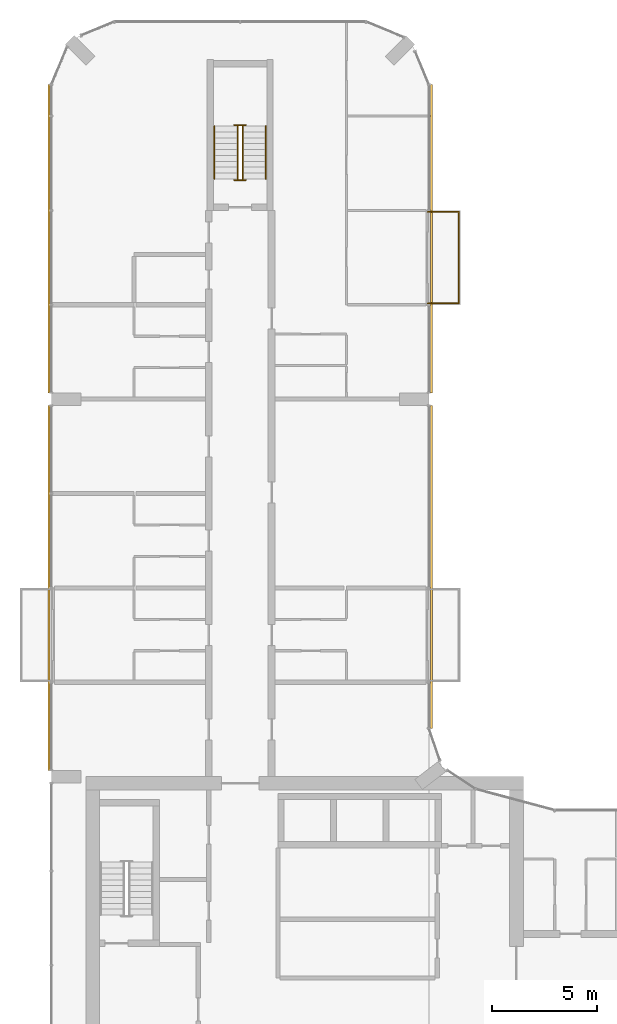
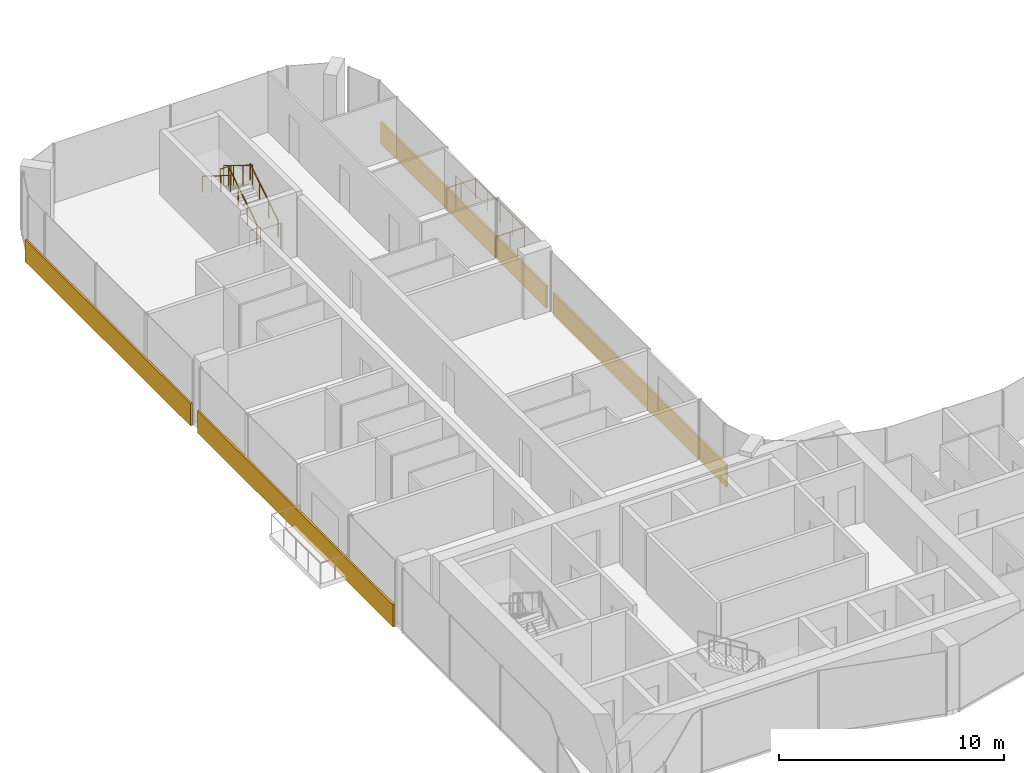
# One storey, part 21 of 22: 7 railings, 4 coverings.
"""IFC4 building model written with IfcOpenShell, lengths in metres."""

from ifc_helpers import new_model, si_unit, direction, frame, origin, origin_2d, place, context, subcontext, project, spatial, rectangle, circle, extrude, material, layer, layer_set, type_object, element, save


model = new_model("IFC4")

# Units and contexts
model_context = context("Model", 3, precision=1e-05, world=origin(), true_north=direction((0.0, 1.0)))
body_context = subcontext(model_context, "Body", "Model", "MODEL_VIEW")
ifc_project = project(units=[si_unit("LENGTHUNIT", "METRE"), si_unit("AREAUNIT", "SQUARE_METRE"), si_unit("VOLUMEUNIT", "CUBIC_METRE"), si_unit("PLANEANGLEUNIT", "RADIAN"), si_unit("MASSUNIT", "GRAM", prefix="KILO")], contexts=[model_context])

# Site, building, storey
site_placement = place(None, origin())
site = spatial("IfcSite", under=ifc_project, at=site_placement, CompositionType="ELEMENT")
building_placement = place(site_placement, origin())
building = spatial("IfcBuilding", under=site, at=building_placement, Name="Plateau Cross Towers", CompositionType="ELEMENT")
storey_placement = place(building_placement, frame((0.0, 0.0, 99.300048828125)))
storey = spatial("IfcBuildingStorey", under=building, at=storey_placement, Name="L25", CompositionType="ELEMENT", Elevation=99.300048828125)

# Railings
ifc_material_1 = material(Name="Stainless steel and toughened glass", Category="steel")
railing_type_1 = type_object("IfcRailingType", Name="Glass balustrade guard 1100", PredefinedType="GUARDRAIL", material=ifc_material_1)
railing_1_placement = place(storey_placement, frame((17.949951171875, 44.929931640625, 0.0)))
element("IfcRailing", 1, at=railing_1_placement, inside=storey, type_object=railing_type_1, Name="Guard guard1", PredefinedType="GUARDRAIL", context=body_context, shape_type="SweptSolid", body=[
    extrude(circle(Radius=0.02392578125, at=origin_2d()), frame((0.0, 0.0, 1.076171875), z_axis=(1.0, 0.0, 0.0), x_axis=(0.0, 1.0, 0.0)), (0.0, 0.0, 1.0), 1.47998046875),
    extrude(circle(Radius=0.02392578125, at=origin_2d()), frame((1.47998046875, 0.0, 1.076171875), z_axis=(0.0, -1.0, 0.0), x_axis=(1.0, 0.0, 0.0)), (0.0, 0.0, 1.0), 4.35986328125),
    extrude(circle(Radius=0.02392578125, at=origin_2d()), frame((1.47998046875, -4.35986328125, 1.076171875), z_axis=(-1.0, 0.0, 0.0), x_axis=(0.0, -1.0, 0.0)), (0.0, 0.0, 1.0), 1.47998046875),
    extrude(circle(Radius=0.02099609375, at=origin_2d()), origin(), (0.0, 0.0, 1.0), 1.052001953125),
    extrude(circle(Radius=0.02099609375, at=origin_2d()), frame((0.739990234375, 0.0, 0.0)), (0.0, 0.0, 1.0), 1.052001953125),
    extrude(circle(Radius=0.02099609375, at=origin_2d()), frame((1.47998046875, 0.0, 0.0)), (0.0, 0.0, 1.0), 1.052001953125),
    extrude(circle(Radius=0.02099609375, at=origin_2d()), frame((1.47998046875, -1.08984375, 0.0)), (0.0, 0.0, 1.0), 1.052001953125),
    extrude(circle(Radius=0.02099609375, at=origin_2d()), frame((1.47998046875, -2.179931640625, 0.0)), (0.0, 0.0, 1.0), 1.052001953125),
    extrude(circle(Radius=0.02099609375, at=origin_2d()), frame((1.47998046875, -3.27001953125, 0.0)), (0.0, 0.0, 1.0), 1.052001953125),
    extrude(circle(Radius=0.02099609375, at=origin_2d()), frame((1.47998046875, -4.35986328125, 0.0)), (0.0, 0.0, 1.0), 1.052001953125),
    extrude(circle(Radius=0.02099609375, at=origin_2d()), frame((0.739990234375, -4.35986328125, 0.0)), (0.0, 0.0, 1.0), 1.052001953125),
    extrude(circle(Radius=0.02099609375, at=origin_2d()), frame((0.0, -4.35986328125, 0.0)), (0.0, 0.0, 1.0), 1.052001953125),
])
railing_type_2 = type_object("IfcRailingType", Name="RL-GUARD-1100", PredefinedType="GUARDRAIL", material=ifc_material_1)
railing_2_placement = place(storey_placement, frame((9.125, 46.5, 0.175048828125)))
element("IfcRailing", 2, at=railing_2_placement, inside=storey, type_object=railing_type_2, Name="L25 ES-N stair guard 1", PredefinedType="GUARDRAIL", context=body_context, shape_type="SweptSolid", body=[
    extrude(circle(Radius=0.02392578125, at=origin_2d()), frame((0.0, 0.0, 1.076171875), z_axis=(0.0, 0.848007534815, 0.529984170421), x_axis=(-1.0, 0.0, 0.0)), (0.0, 0.0, 1.0), 2.9716796875),
    extrude(circle(Radius=0.02099609375, at=origin_2d()), origin(), (0.0, 0.0, 1.0), 1.052001953125),
    extrude(circle(Radius=0.02099609375, at=origin_2d()), frame((0.0, 0.840087890625, 0.52490234375)), (0.0, 0.0, 1.0), 1.052001953125),
    extrude(circle(Radius=0.02099609375, at=origin_2d()), frame((0.0, 1.679931640625, 1.050048828125)), (0.0, 0.0, 1.0), 1.052001953125),
    extrude(circle(Radius=0.02099609375, at=origin_2d()), frame((0.0, 2.52001953125, 1.574951171875)), (0.0, 0.0, 1.0), 1.052001953125),
])
railing_3_placement = place(storey_placement, frame((9.27490234375, 49.070068359375, 1.75)))
element("IfcRailing", 3, at=railing_3_placement, inside=storey, type_object=railing_type_2, Name="L25 ES-N stair guard 2", PredefinedType="GUARDRAIL", context=body_context, shape_type="SweptSolid", body=[
    extrude(circle(Radius=0.02392578125, at=origin_2d()), frame((0.0, 0.0, 1.076171875), z_axis=(-1.0, 0.0, 0.0), x_axis=(0.0, -1.0, 0.0)), (0.0, 0.0, 1.0), 0.5498046875),
    extrude(circle(Radius=0.02099609375, at=origin_2d()), origin(), (0.0, 0.0, 1.0), 1.052001953125),
    extrude(circle(Radius=0.02099609375, at=origin_2d()), frame((-0.5498046875, 0.0, 0.0)), (0.0, 0.0, 1.0), 1.052001953125),
])
railing_4_placement = place(storey_placement, frame((8.875, 49.02001953125, 1.925048828125)))
element("IfcRailing", 4, at=railing_4_placement, inside=storey, type_object=railing_type_2, Name="L25 ES-N stair guard 3", PredefinedType="GUARDRAIL", context=body_context, shape_type="SweptSolid", body=[
    extrude(circle(Radius=0.02392578125, at=origin_2d()), frame((0.0, 0.0, 1.076171875), z_axis=(0.0, -0.852638500773, 0.522501279423), x_axis=(1.0, 0.0, 0.0)), (0.0, 0.0, 1.0), 3.01416015625),
    extrude(circle(Radius=0.02099609375, at=origin_2d()), origin(), (0.0, 0.0, 1.0), 1.052001953125),
    extrude(circle(Radius=0.02099609375, at=origin_2d()), frame((0.0, -0.856689453125, 0.52490234375)), (0.0, 0.0, 1.0), 1.052001953125),
    extrude(circle(Radius=0.02099609375, at=origin_2d()), frame((0.0, -1.71337890625, 1.050048828125)), (0.0, 0.0, 1.0), 1.052001953125),
    extrude(circle(Radius=0.02099609375, at=origin_2d()), frame((0.0, -2.570068359375, 1.574951171875)), (0.0, 0.0, 1.0), 1.052001953125),
])
railing_5_placement = place(storey_placement, frame((9.27490234375, 46.449951171875, 0.0)))
element("IfcRailing", 5, at=railing_5_placement, inside=storey, type_object=railing_type_2, Name="L25 ES-N stair guard 4", PredefinedType="GUARDRAIL", context=body_context, shape_type="SweptSolid", body=[
    extrude(circle(Radius=0.02392578125, at=origin_2d()), frame((0.0, 0.0, 1.076171875), z_axis=(-1.0, 0.0, 0.0), x_axis=(0.0, -1.0, 0.0)), (0.0, 0.0, 1.0), 0.5498046875),
    extrude(circle(Radius=0.02099609375, at=origin_2d()), origin(), (0.0, 0.0, 1.0), 1.052001953125),
    extrude(circle(Radius=0.02099609375, at=origin_2d()), frame((-0.5498046875, 0.0, 0.0)), (0.0, 0.0, 1.0), 1.052001953125),
])
ifc_material_2 = material(Name="Black anodised aluminium", Category="aluminium")
railing_type_3 = type_object("IfcRailingType", Name="RL-HANDRAIL-900", PredefinedType="HANDRAIL", material=ifc_material_2)
railing_6_placement = place(storey_placement, frame((10.22509765625, 46.5, 0.175048828125)))
element("IfcRailing", 6, at=railing_6_placement, inside=storey, type_object=railing_type_3, Name="L25 ES-N stair handrail 1", PredefinedType="HANDRAIL", context=body_context, shape_type="SweptSolid", body=[
    extrude(circle(Radius=0.02392578125, at=origin_2d()), frame((0.0, 0.0, 0.8759765625), z_axis=(0.0, 0.848007534815, 0.529984170421), x_axis=(-1.0, 0.0, 0.0)), (0.0, 0.0, 1.0), 2.9716796875),
    extrude(circle(Radius=0.02099609375, at=origin_2d()), origin(), (0.0, 0.0, 1.0), 0.851806640625),
    extrude(circle(Radius=0.02099609375, at=origin_2d()), frame((0.0, 0.840087890625, 0.52490234375)), (0.0, 0.0, 1.0), 0.851806640625),
    extrude(circle(Radius=0.02099609375, at=origin_2d()), frame((0.0, 1.679931640625, 1.050048828125)), (0.0, 0.0, 1.0), 0.851806640625),
    extrude(circle(Radius=0.02099609375, at=origin_2d()), frame((0.0, 2.52001953125, 1.574951171875)), (0.0, 0.0, 1.0), 0.851806640625),
])
railing_7_placement = place(storey_placement, frame((7.77490234375, 49.02001953125, 1.925048828125)))
element("IfcRailing", 7, at=railing_7_placement, inside=storey, type_object=railing_type_3, Name="L25 ES-N stair handrail 2", PredefinedType="HANDRAIL", context=body_context, shape_type="SweptSolid", body=[
    extrude(circle(Radius=0.02392578125, at=origin_2d()), frame((0.0, 0.0, 0.8759765625), z_axis=(0.0, -0.848007534815, 0.529984170421), x_axis=(1.0, 0.0, 0.0)), (0.0, 0.0, 1.0), 2.9716796875),
    extrude(circle(Radius=0.02099609375, at=origin_2d()), origin(), (0.0, 0.0, 1.0), 0.851806640625),
    extrude(circle(Radius=0.02099609375, at=origin_2d()), frame((0.0, -0.840087890625, 0.52490234375)), (0.0, 0.0, 1.0), 0.851806640625),
    extrude(circle(Radius=0.02099609375, at=origin_2d()), frame((0.0, -1.679931640625, 1.050048828125)), (0.0, 0.0, 1.0), 0.851806640625),
    extrude(circle(Radius=0.02099609375, at=origin_2d()), frame((0.0, -2.52001953125, 1.574951171875)), (0.0, 0.0, 1.0), 0.851806640625),
])

# Coverings
ifc_material_3 = material(Name="Precast concrete cladding C40/50", Category="concrete")
ifc_layer = layer(ifc_material_3, 0.10009765625)
ifc_layer_set = layer_set([ifc_layer], Name="Precast concrete cladding C40/50")
covering_type = type_object("IfcCoveringType", Name="Spandrel band cladding 100x1200", PredefinedType="CLADDING", material=ifc_layer_set)
covering_1_placement = place(storey_placement, frame((18.1201171875, 28.001220703125, -0.25), z_axis=(0.0, 0.0, 1.0), x_axis=(0.0, 1.0, 0.0)))
element("IfcCovering", 8, at=covering_1_placement, inside=storey, type_object=covering_type, Name="Spandrel band", PredefinedType="CLADDING", context=body_context, shape_type="SweptSolid", body=[
    extrude(rectangle(XDim=15.397705078125, YDim=0.10009765625, at=origin_2d()), origin(), (0.0, 0.0, 1.0), 1.199951171875),
])
for number, where, z_axis, x_axis, name in (
    (9, (18.1201171875, 43.64990234375, -0.25), (0.0, 0.0, 1.0), (0.0, 1.0, 0.0), "Spandrel band"),
    (10, (-0.1201171875, 43.64990234375, -0.25), (0.0, 0.0, 1.0), (0.0, -1.0, 0.0), "Spandrel band"),
):
    element("IfcCovering", number, at=place(storey_placement, frame(where, z_axis=z_axis, x_axis=x_axis)), inside=storey, type_object=covering_type, Name=name, PredefinedType="CLADDING", context=body_context, shape_type="SweptSolid", body=[
        extrude(rectangle(XDim=14.699951171875, YDim=0.10009765625, at=origin_2d()), origin(), (0.0, 0.0, 1.0), 1.199951171875),
    ])
covering_2_placement = place(storey_placement, frame((-0.1201171875, 27.0, -0.25), z_axis=(0.0, 0.0, 1.0), x_axis=(0.0, -1.0, 0.0)))
element("IfcCovering", 11, at=covering_2_placement, inside=storey, type_object=covering_type, Name="Spandrel band", PredefinedType="CLADDING", context=body_context, shape_type="SweptSolid", body=[
    extrude(rectangle(XDim=17.39990234375, YDim=0.10009765625, at=origin_2d()), origin(), (0.0, 0.0, 1.0), 1.199951171875),
])

save(model, "model.ifc")
